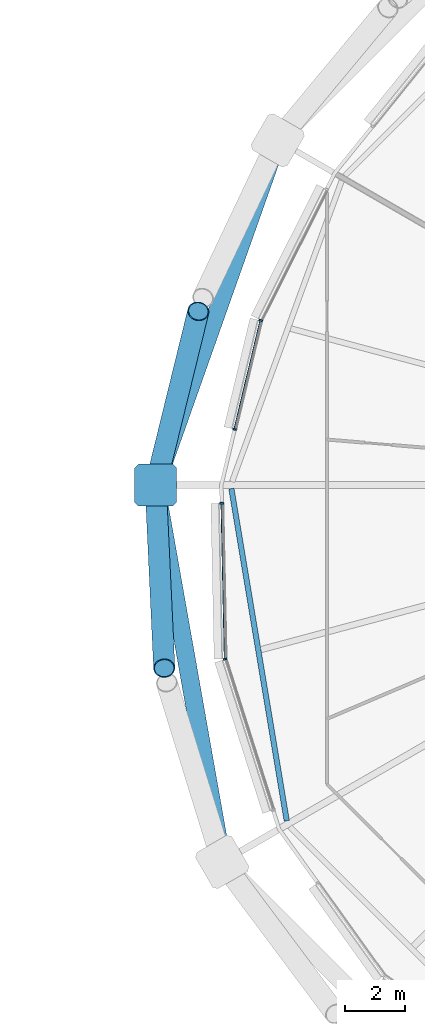
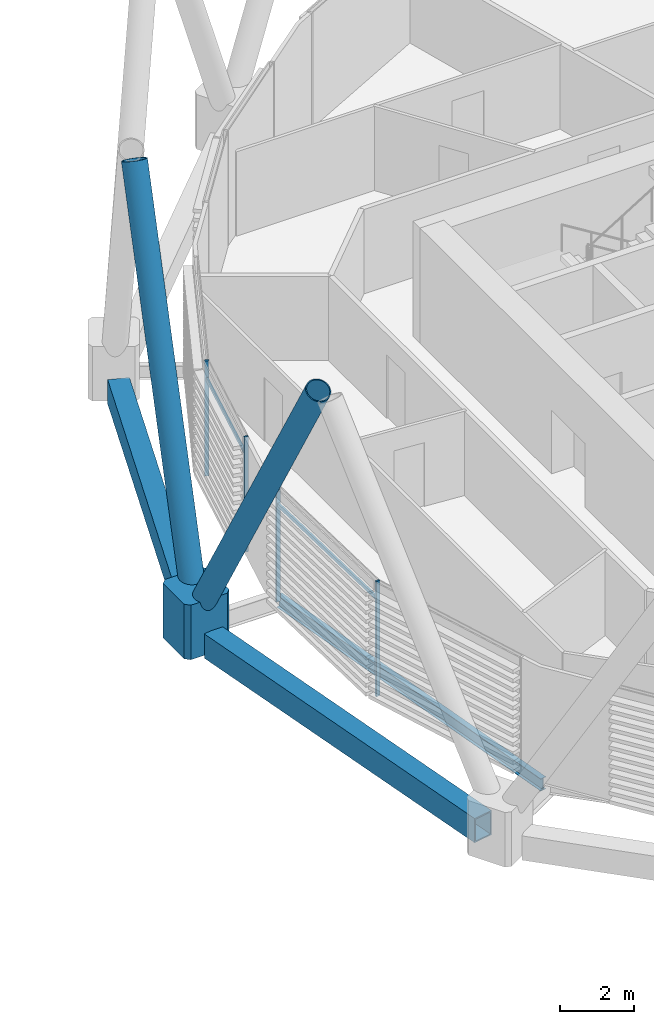
# One storey, part 9 of 39: 9 members, 3 beams, 1 element without a shape of its own.
"""IFC4 building model written with IfcOpenShell, lengths in metres."""

from ifc_helpers import new_model, si_unit, direction, frame, origin, origin_2d, place, context, subcontext, project, spatial, polyline, rectangle, hollow_rectangle, hollow_circle, i_section, outline, extrude, material, material_profile, profile_set, type_object, element, aggregate, save


model = new_model("IFC4")

# Units and contexts
model_context = context("Model", 3, precision=1e-05, world=origin(), true_north=direction((0.0, 1.0)))
body_context = subcontext(model_context, "Body", "Model", "MODEL_VIEW")
ifc_project = project(units=[si_unit("LENGTHUNIT", "METRE"), si_unit("AREAUNIT", "SQUARE_METRE"), si_unit("VOLUMEUNIT", "CUBIC_METRE"), si_unit("PLANEANGLEUNIT", "RADIAN"), si_unit("MASSUNIT", "GRAM", prefix="KILO")], contexts=[model_context])

# Site, building, storey
site_placement = place(None, origin())
site = spatial("IfcSite", under=ifc_project, at=site_placement, CompositionType="ELEMENT")
building_placement = place(site_placement, origin())
building = spatial("IfcBuilding", under=site, at=building_placement, Name="Rimbun Link Towers", CompositionType="ELEMENT")
storey_placement = place(building_placement, frame((0.0, 0.0, 115.800048828125)))
storey = spatial("IfcBuildingStorey", under=building, at=storey_placement, Name="L28", CompositionType="ELEMENT", Elevation=115.800048828125)

# Curtain wall, members
ifc_material_1 = material(Name="Aluminium 6063-T6 and low-iron glass", Category="aluminium")
curtain_wall_type = type_object("IfcCurtainWallType", Name="CW1-Z2 unitised vision wall (zone 2)", PredefinedType="NOTDEFINED", material=ifc_material_1)
curtain_wall_placement = place(storey_placement, origin())
curtain_wall = element("IfcCurtainWall", 1, at=curtain_wall_placement, inside=storey, type_object=curtain_wall_type, Name="CW1 L28 T2", PredefinedType="NOTDEFINED")
ifc_material_2 = material(Name="Aluminium 6063-T6", Category="aluminium")
ifc_material_profile_1 = material_profile(ifc_material_2, rectangle(XDim=0.1201171875, YDim=0.06005859375, at=origin_2d()), Name="MULLION 60X120")
ifc_profile_set_1 = profile_set([ifc_material_profile_1], Name="Aluminium 6063-T6")
member_type_1 = type_object("IfcMemberType", Name="CW1 mullion 60X120", PredefinedType="MULLION", material=ifc_profile_set_1)
member_1_placement = place(storey_placement, frame((11.27197265625, 5.49267578125, 0.0), z_axis=(0.0, 0.0, 1.0), x_axis=(-0.939344696127, 0.342974549868, 0.0)))
member_1 = element("IfcMember", 2, at=member_1_placement, type_object=member_type_1, Name="CW1 mullion", PredefinedType="MULLION", context=body_context, shape_type="SweptSolid", body=[
    extrude(rectangle(XDim=0.1201171875, YDim=0.06005859375, at=origin_2d()), origin(), (0.0, 0.0, 1.0), 3.800048828125),
])
member_2_placement = place(storey_placement, frame((10.4033203125, 1.86181640625, 0.0), z_axis=(0.0, 0.0, 1.0), x_axis=(-0.972571724543, 0.232603182737, 0.0)))
member_2 = element("IfcMember", 3, at=member_2_placement, type_object=member_type_1, Name="CW1 mullion", PredefinedType="MULLION", context=body_context, shape_type="SweptSolid", body=[
    extrude(rectangle(XDim=0.1201171875, YDim=0.06005859375, at=origin_2d()), origin(), (0.0, 0.0, 1.0), 3.800048828125),
])
member_3_placement = place(storey_placement, frame((10.08251953125, -5.7998046875, 0.0), z_axis=(0.0, 0.0, 1.0), x_axis=(-0.98650165311, -0.163751300484, 0.0)))
member_3 = element("IfcMember", 4, at=member_3_placement, type_object=member_type_1, Name="CW1 mullion", PredefinedType="MULLION", context=body_context, shape_type="SweptSolid", body=[
    extrude(rectangle(XDim=0.1201171875, YDim=0.06005859375, at=origin_2d()), origin(), (0.0, 0.0, 1.0), 3.800048828125),
])
member_4_placement = place(storey_placement, frame((9.972412109375, -0.60107421875, 0.0), z_axis=(0.0, 0.0, 1.0), x_axis=(-0.999778076675, -0.02106649948, 0.0)))
member_4 = element("IfcMember", 5, at=member_4_placement, type_object=member_type_1, Name="CW1 mullion", PredefinedType="MULLION", context=body_context, shape_type="SweptSolid", body=[
    extrude(rectangle(XDim=0.1201171875, YDim=0.06005859375, at=origin_2d()), origin(), (0.0, 0.0, 1.0), 3.800048828125),
])
ifc_material_3 = material(Name="Aluminium 6063-T6", Category="aluminium")
ifc_material_profile_2 = material_profile(ifc_material_3, rectangle(XDim=0.06005859375, YDim=0.1201171875, at=origin_2d()), Name="TRANSOM 60X120")
ifc_profile_set_2 = profile_set([ifc_material_profile_2], Name="Aluminium 6063-T6")
member_type_2 = type_object("IfcMemberType", Name="CW1 transom 60X120", PredefinedType="USERDEFINED", material=ifc_profile_set_2)
member_5_placement = place(storey_placement, frame((10.412109375, 1.890625, 3.199951171875), z_axis=(0.232604707954, 0.972571359766, 0.0), x_axis=(-0.972571359766, 0.232604707954, 0.0)))
member_5 = element("IfcMember", 6, at=member_5_placement, type_object=member_type_2, Name="CW1 transom", ObjectType="TRANSOM", PredefinedType="USERDEFINED", context=body_context, shape_type="SweptSolid", body=[
    extrude(rectangle(XDim=0.06005859375, YDim=0.1201171875, at=origin_2d()), origin(), (0.0, 0.0, 1.0), 3.666259765625),
])
member_6_placement = place(storey_placement, frame((10.0830078125, -5.76123046875, 3.199951171875), z_axis=(-0.02102994575, 0.999778846236, 0.0), x_axis=(-0.999778846236, -0.02102994575, 0.0)))
member_6 = element("IfcMember", 7, at=member_6_placement, type_object=member_type_2, Name="CW1 transom", ObjectType="TRANSOM", PredefinedType="USERDEFINED", context=body_context, shape_type="SweptSolid", body=[
    extrude(rectangle(XDim=0.06005859375, YDim=0.1201171875, at=origin_2d()), origin(), (0.0, 0.0, 1.0), 5.13134765625),
])
aggregate(curtain_wall, [member_1, member_2, member_3, member_4, member_5, member_6])

# Members
ifc_material_4 = material(Name="Steel S460NH", Category="steel")
ifc_material_profile_3 = material_profile(ifc_material_4, hollow_circle(Radius=0.355712890625, WallThickness=0.031982421875, at=origin_2d()), Name="Diagrid diagonal CHS 711x32")
ifc_profile_set_3 = profile_set([ifc_material_profile_3], Name="Steel S460NH")
member_type_3 = type_object("IfcMemberType", Name="Diagrid diagonal CHS 711x32", PredefinedType="BRACE", material=ifc_profile_set_3)
member_7_placement = place(storey_placement, frame((7.82666015625, 0.232177734375, 0.43896484375), z_axis=(0.113929845033, 0.464481646876, 0.878223656096), x_axis=(-0.971210658098, 0.238222286103, 0.0)))
element("IfcMember", 8, at=member_7_placement, inside=storey, type_object=member_type_3, Name="Diagrid diagonal T2 L28-L31 09a", PredefinedType="BRACE", context=body_context, shape_type="SweptSolid", body=[
    extrude(hollow_circle(Radius=0.355712890625, WallThickness=0.031982421875, at=origin_2d()), origin(), (0.0, 0.0, 1.0), 11.98095703125),
])
member_8_placement = place(storey_placement, frame((7.781005859375, -0.2431640625, 0.436767578125), z_axis=(0.022832955784, -0.486238632497, 0.87352770328), x_axis=(0.998899277521, 0.04690664524, 0.0)))
element("IfcMember", 9, at=member_8_placement, inside=storey, type_object=member_type_3, Name="Diagrid diagonal T2 L28-L31 09b", PredefinedType="BRACE", context=body_context, shape_type="SweptSolid", body=[
    extrude(hollow_circle(Radius=0.355712890625, WallThickness=0.031982421875, at=origin_2d()), origin(), (0.0, 0.0, 1.0), 12.05029296875),
])
ifc_material_5 = material(Name="Cast steel G20Mn5+QT, Rp0.2 300 MPa", Category="steel")
ifc_material_profile_4 = material_profile(ifc_material_5, outline(polyline([(0.699951171875, -0.570068359375), (0.699951171875, 0.570068359375), (0.570068359375, 0.699951171875), (-0.570068359375, 0.699951171875), (-0.699951171875, 0.570068359375), (-0.699951171875, -0.570068359375), (-0.570068359375, -0.699951171875), (0.570068359375, -0.699951171875), (0.699951171875, -0.570068359375)])), Name="NODE 1400x1400")
ifc_profile_set_4 = profile_set([ifc_material_profile_4], Name="Cast steel G20Mn5+QT, Rp0.2 300 MPa")
member_type_4 = type_object("IfcMemberType", Name="Diagrid node cast 1400", PredefinedType="USERDEFINED", material=ifc_profile_set_4)
member_9_placement = place(storey_placement, frame((7.769775390625, 0.0, -0.900146484375), z_axis=(0.0, 0.0, 1.0), x_axis=(-1.0, 0.0, 0.0)))
element("IfcMember", 10, at=member_9_placement, inside=storey, type_object=member_type_4, Name="Diagrid node L28 09", ObjectType="Diagrid node", PredefinedType="USERDEFINED", context=body_context, shape_type="SweptSolid", body=[
    extrude(outline(polyline([(0.699951171875, -0.570068359375), (0.699951171875, 0.570068359375), (0.570068359375, 0.699951171875), (-0.570068359375, 0.699951171875), (-0.699951171875, 0.570068359375), (-0.699951171875, -0.570068359375), (-0.570068359375, -0.699951171875), (0.570068359375, -0.699951171875), (0.699951171875, -0.570068359375)])), origin(), (0.0, 0.0, 1.0), 1.800048828125),
])

# Beams
ifc_material_6 = material(Name="Steel S355J2", Category="steel")
ifc_material_profile_5 = material_profile(ifc_material_6, hollow_rectangle(XDim=0.60009765625, YDim=0.800048828125, WallThickness=0.0400390625, at=origin_2d()), Name="Exoskeleton ring girder BOX 600x800x40")
ifc_profile_set_5 = profile_set([ifc_material_profile_5], Name="Steel S355J2")
beam_type_1 = type_object("IfcBeamType", Name="Exoskeleton ring girder BOX 600x800x40", PredefinedType="BEAM", material=ifc_profile_set_5)
beam_1_placement = place(storey_placement, frame((11.606201171875, 10.835205078125, -0.56005859375), z_axis=(-0.333767591381, -0.942655395648, 0.0), x_axis=(0.942655395648, -0.333767591381, 0.0)))
element("IfcBeam", 11, at=beam_1_placement, inside=storey, type_object=beam_type_1, Name="Exoskeleton ring girder L28 03", PredefinedType="BEAM", context=body_context, shape_type="SweptSolid", body=[
    extrude(hollow_rectangle(XDim=0.60009765625, YDim=0.800048828125, WallThickness=0.0400390625, at=origin_2d()), origin(), (0.0, 0.0, 1.0), 10.794189453125),
])
beam_2_placement = place(storey_placement, frame((7.8916015625, -0.689208984375, -0.56005859375), z_axis=(0.173980299994, -0.984749133137, 0.0), x_axis=(0.984749133137, 0.173980299994, 0.0)))
element("IfcBeam", 12, at=beam_2_placement, inside=storey, type_object=beam_type_1, Name="Exoskeleton ring girder L28 04", PredefinedType="BEAM", context=body_context, shape_type="SweptSolid", body=[
    extrude(hollow_rectangle(XDim=0.60009765625, YDim=0.800048828125, WallThickness=0.0400390625, at=origin_2d()), origin(), (0.0, 0.0, 1.0), 11.358154296875),
])
ifc_material_7 = material(Name="Steel S355J2", Category="steel")
ifc_material_profile_6 = material_profile(ifc_material_7, i_section(OverallWidth=0.177978515625, OverallDepth=0.406494140625, WebThickness=0.0078125, FlangeThickness=0.0126953125, at=origin_2d()), Name="UB 406x178x60")
ifc_profile_set_6 = profile_set([ifc_material_profile_6], Name="Steel S355J2")
beam_type_2 = type_object("IfcBeamType", Name="UB 406x178x60", PredefinedType="BEAM", material=ifc_profile_set_6)
beam_3_placement = place(storey_placement, frame((10.2958984375, -0.11474609375, -0.36328125), z_axis=(0.164219146553, -0.986423880442, 0.0), x_axis=(0.986423880442, 0.164219146553, 0.0)))
element("IfcBeam", 13, at=beam_3_placement, inside=storey, type_object=beam_type_2, Name="Edge beam T2 L28 09-11", PredefinedType="BEAM", context=body_context, shape_type="SweptSolid", body=[
    extrude(i_section(OverallWidth=0.177978515625, OverallDepth=0.406494140625, WebThickness=0.0078125, FlangeThickness=0.0126953125, at=origin_2d()), origin(), (0.0, 0.0, 1.0), 11.227294921875),
])

save(model, "model.ifc")
